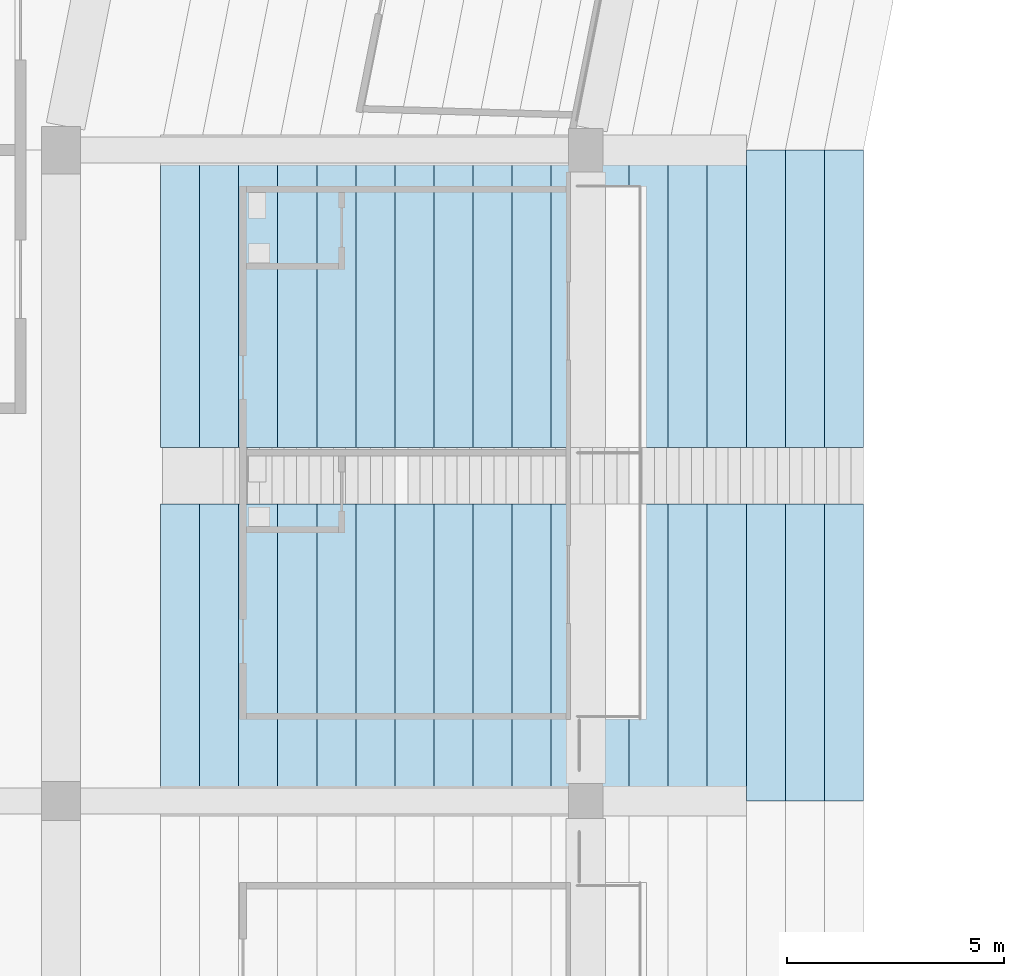
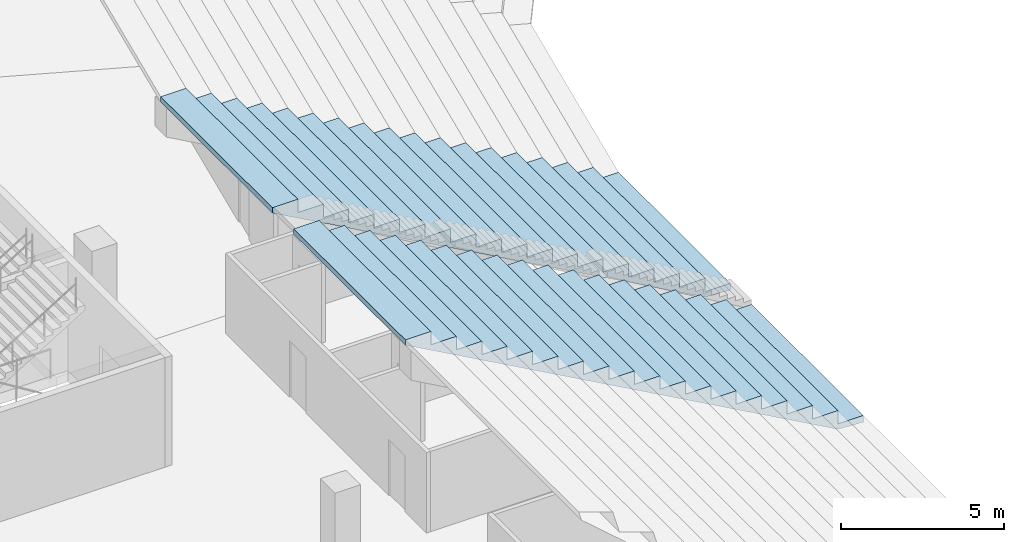
# One storey, part 124 of 249: 1 slab.
"""IFC4 building model written with IfcOpenShell, lengths in metres."""

import ifcopenshell
import ifcopenshell.guid

model = None  # the IFC model being written
_history = None  # IfcOwnerHistory: only IFC2X3 demands one
_inside = {}  # id of a spatial element -> (the spatial element, [elements in it])
_under = {}  # id of a project, library or spatial element -> (it, [spatial elements below it])
_declared = {}  # id of a project -> (the project, [libraries it declares])
_typed = {}  # id of a type object -> (the type object, [elements of that type])
_made_of = {}  # id of a material, layer set ... -> (it, [elements and type objects made of it])


def new_model(schema):
    """Start an empty IFC model of exactly this schema.

    Asked for "IFC4X3", IfcOpenShell would pick the latest addendum, in which some entities
    have other attributes; the version numbers below select the first issue.
    IFC2X3 requires an IfcOwnerHistory on every rooted entity: one is made here for all.
    """
    global model, _history
    if schema == "IFC4X3":
        model = ifcopenshell.file(schema_version=(4, 3, 0, 0))
    else:
        model = ifcopenshell.file(schema=schema)
    _inside.clear()
    _under.clear()
    _declared.clear()
    _typed.clear()
    _made_of.clear()
    _history = None
    if model.schema == "IFC2X3":
        org = make("IfcOrganization", Name="unknown")
        user = make(
            "IfcPersonAndOrganization",
            ThePerson=make("IfcPerson", FamilyName="unknown"),
            TheOrganization=org,
        )
        app = make(
            "IfcApplication",
            ApplicationDeveloper=org,
            Version="unknown",
            ApplicationFullName="unknown",
            ApplicationIdentifier="unknown",
        )
        _history = make(
            "IfcOwnerHistory",
            OwningUser=user,
            OwningApplication=app,
            ChangeAction="ADDED",
            CreationDate=0,
        )
    return model


def make(cls, **values):
    """One entity of the class cls with the attributes given. An attribute that is None is left unset."""
    return model.create_entity(
        cls, **{name: value for name, value in values.items() if value is not None}
    )


def rooted(cls, **values):
    """An entity with a GlobalId (a new one), such as an element, a storey or a relation."""
    return make(cls, GlobalId=ifcopenshell.guid.new(), OwnerHistory=_history, **values)


def si_unit(unit_type, name, prefix=None):
    """IfcSIUnit, for example si_unit("LENGTHUNIT", "METRE", prefix="MILLI")."""
    return make("IfcSIUnit", UnitType=unit_type, Prefix=prefix, Name=name)


def assignment(units):
    """IfcUnitAssignment: the units of a project."""
    return None if units is None else make("IfcUnitAssignment", Units=units)


def point(xyz):
    """IfcCartesianPoint."""
    return None if xyz is None else make("IfcCartesianPoint", Coordinates=xyz)


def direction(xyz):
    """IfcDirection."""
    return None if xyz is None else make("IfcDirection", DirectionRatios=xyz)


def frame(location, z_axis=None, x_axis=None):
    """IfcAxis2Placement3D, a coordinate frame: its origin and axes. An axis left out is left unset."""
    return make(
        "IfcAxis2Placement3D",
        Location=point(location),
        Axis=direction(z_axis),
        RefDirection=direction(x_axis),
    )


def origin():
    """The frame at (0, 0, 0) with its axes left unset."""
    return frame((0.0, 0.0, 0.0))


def place(relative_to, where):
    """IfcLocalPlacement: puts the frame where relative to a parent placement (None: the world)."""
    return make(
        "IfcLocalPlacement", PlacementRelTo=relative_to, RelativePlacement=where
    )


def context(
    kind, dimensions, precision=None, world=None, true_north=None, identifier=None
):
    """IfcGeometricRepresentationContext, for example the 3D "Model" context."""
    return make(
        "IfcGeometricRepresentationContext",
        ContextIdentifier=identifier,
        ContextType=kind,
        CoordinateSpaceDimension=dimensions,
        Precision=precision,
        WorldCoordinateSystem=world,
        TrueNorth=true_north,
    )


def subcontext(parent, identifier, kind, view, scale=None):
    """IfcGeometricRepresentationSubContext, for example "Body" below "Model"."""
    return make(
        "IfcGeometricRepresentationSubContext",
        ContextIdentifier=identifier,
        ContextType=kind,
        ParentContext=parent,
        TargetScale=scale,
        TargetView=view,
    )


def project(units=None, contexts=None):
    """IfcProject with its units and contexts."""
    return rooted(
        "IfcProject",
        Name="project",
        RepresentationContexts=contexts,
        UnitsInContext=assignment(units),
    )


def spatial(cls, under=None, at=None, **own):
    """A site, building, storey or space (cls), placed at a placement, below another one or the project."""
    s = rooted(cls, ObjectPlacement=at, **own)
    if under is not None:
        _under.setdefault(under.id(), (under, []))[1].append(s)
    return s


def faces_of(points, faces, orient=None, outer=None):
    """IfcFace entities. A face is a list of loops; a loop is a list of indices into points, from 0.

    orient and outer hold one flag for each loop. By default every Orientation is true, the
    first loop of a face is its IfcFaceOuterBound and the others are IfcFaceBound.
    """
    made = []
    for i, loops in enumerate(faces):
        bounds = []
        for j, loop in enumerate(loops):
            is_outer = j == 0 if outer is None else outer[i][j]
            bounds.append(
                make(
                    "IfcFaceOuterBound" if is_outer else "IfcFaceBound",
                    Bound=make("IfcPolyLoop", Polygon=[points[k] for k in loop]),
                    Orientation=True if orient is None else orient[i][j],
                )
            )
        made.append(make("IfcFace", Bounds=bounds))
    return made


def faceted_brep(points, faces, orient=None, outer=None, voids=None):
    """IfcFacetedBrep: a solid bounded by flat faces; with voids (closed shells), ...WithVoids."""
    shared = [point(p) for p in points]
    hull = make("IfcClosedShell", CfsFaces=faces_of(shared, faces, orient, outer))
    if voids is None:
        return make("IfcFacetedBrep", Outer=hull)
    return make(
        "IfcFacetedBrepWithVoids",
        Outer=hull,
        Voids=[
            make(cls, CfsFaces=faces_of(shared, fs, o, b)) for cls, fs, o, b in voids
        ],
    )


def shape(context_of_items, identifier, shape_type, items):
    """IfcShapeRepresentation: the items that make up one representation, for example the "Body"."""
    return make(
        "IfcShapeRepresentation",
        ContextOfItems=context_of_items,
        RepresentationIdentifier=identifier,
        RepresentationType=shape_type,
        Items=items,
    )


def material(Name=None, Category=None):
    """IfcMaterial."""
    return make("IfcMaterial", Name=Name, Category=Category)


def layer(
    of_material, thickness, ventilated=None, Name=None, Category=None, Priority=None
):
    """IfcMaterialLayer: one layer of a wall or slab, of a material (None: an air gap)."""
    return make(
        "IfcMaterialLayer",
        Material=of_material,
        LayerThickness=thickness,
        IsVentilated=ventilated,
        Name=Name,
        Category=Category,
        Priority=Priority,
    )


def layer_set(layers, Name=None):
    """IfcMaterialLayerSet."""
    return make("IfcMaterialLayerSet", MaterialLayers=layers, LayerSetName=Name)


def made_of(thing, what):
    """Note that an element or type object is made of a material, layer set ...; save() writes the relation."""
    if what is not None:
        _made_of.setdefault(what.id(), (what, []))[1].append(thing)
    return thing


def type_object(cls, material=None, **own):
    """A type object (cls), such as IfcWallType, which elements share."""
    return made_of(rooted(cls, **own), material)


def element(
    cls,
    number,
    at=None,
    inside=None,
    cuts=None,
    type_object=None,
    material=None,
    context=None,
    identifier="Body",
    shape_type=None,
    held_by="IfcProductDefinitionShape",
    body=None,
    shapes=None,
    **own,
):
    """One element of the class cls, such as IfcWall. Its Tag is "e" and its number.

    at: its placement. inside: the storey or other place that contains it. cuts: it is an
    opening in that element (IfcRelVoidsElement). A single representation is given by context,
    identifier, shape_type and body (its items); several are given by shapes. held_by: the class
    of the entity that holds the representations. save() writes the other relations.
    """
    e = rooted(cls, Tag="e%d" % number, ObjectPlacement=at, **own)
    if body is not None:
        shapes = [shape(context, identifier, shape_type, body)]
    if shapes is not None:
        e.Representation = make(held_by, Representations=shapes)
    if inside is not None:
        _inside.setdefault(inside.id(), (inside, []))[1].append(e)
    if cuts is not None:
        rooted(
            "IfcRelVoidsElement", RelatingBuildingElement=cuts, RelatedOpeningElement=e
        )
    if type_object is not None:
        _typed.setdefault(type_object.id(), (type_object, []))[1].append(e)
    return made_of(e, material)


def aggregate(whole, parts):
    """IfcRelAggregates: a whole, such as a stair, and the parts it consists of."""
    return rooted("IfcRelAggregates", RelatingObject=whole, RelatedObjects=parts)


def save(model, path):
    """Write the relations noted so far, then the file.

    IfcRelAggregates (storeys below a building ...), IfcRelContainedInSpatialStructure (elements
    in a storey), IfcRelDefinesByType, IfcRelAssociatesMaterial and IfcRelDeclares: one each for
    every whole, place, type object, material and project.
    """
    for whole, parts in _under.values():
        aggregate(whole, parts)
    for where, things in _inside.values():
        rooted(
            "IfcRelContainedInSpatialStructure",
            RelatedElements=things,
            RelatingStructure=where,
        )
    for kind, things in _typed.values():
        rooted("IfcRelDefinesByType", RelatedObjects=things, RelatingType=kind)
    for what, things in _made_of.values():
        rooted("IfcRelAssociatesMaterial", RelatedObjects=things, RelatingMaterial=what)
    for by, libraries in _declared.values():
        rooted("IfcRelDeclares", RelatingContext=by, RelatedDefinitions=libraries)
    model.write(path)


model = new_model("IFC4")

# Units and contexts
model_context = context("Model", 3, precision=1e-05, world=origin(), true_north=direction((0.0, 1.0)))
body_context = subcontext(model_context, "Body", "Model", "MODEL_VIEW")
ifc_project = project(units=[si_unit("LENGTHUNIT", "METRE"), si_unit("AREAUNIT", "SQUARE_METRE"), si_unit("VOLUMEUNIT", "CUBIC_METRE"), si_unit("PLANEANGLEUNIT", "RADIAN"), si_unit("MASSUNIT", "GRAM", prefix="KILO")], contexts=[model_context])

# Site, building, storey
site_placement = place(None, origin())
site = spatial("IfcSite", under=ifc_project, at=site_placement, CompositionType="ELEMENT")
building_placement = place(site_placement, origin())
building = spatial("IfcBuilding", under=site, at=building_placement, Name="Ogive Plaza Stadium", CompositionType="ELEMENT")
storey_placement = place(building_placement, frame((0.0, 0.0, 13.5)))
storey = spatial("IfcBuildingStorey", under=building, at=storey_placement, Name="L03", CompositionType="ELEMENT", Elevation=13.5)

# Slab
ifc_material = material(Name="Concrete C45/55 precast", Category="concrete")
ifc_layer = layer(ifc_material, 0.699951171875)
ifc_layer_set = layer_set([ifc_layer], Name="Concrete C45/55 precast")
slab_type = type_object("IfcSlabType", Name="Seating tier UT 700", PredefinedType="USERDEFINED", material=ifc_layer_set)
slab_placement = place(storey_placement, origin())
element("IfcSlab", 1, at=slab_placement, inside=storey, type_object=slab_type, Name="Stand UT B27", ObjectType="SEATING TIER", PredefinedType="USERDEFINED", context=body_context, shape_type="Brep", body=[
    faceted_brep([(-55.5, 44.35009765625, 0.5), (-56.39990234375, 44.35009765625, 0.5), (-56.39990234375, 37.5, 0.5), (-55.5, 37.5, 0.5), (-55.5, 52.5, 0.5), (-56.39990234375, 52.5, 0.5), (-56.39990234375, 45.64990234375, 0.5), (-55.5, 45.64990234375, 0.5), (-56.39990234375, 44.35009765625, 0.300048828125), (-55.5, 37.5, 0.25), (-56.39990234375, 37.5, 0.300048828125), (-55.5, 44.35009765625, 0.25), (-56.39990234375, 52.5, 0.300048828125), (-55.5, 45.64990234375, 0.25), (-56.39990234375, 45.64990234375, 0.300048828125), (-55.5, 52.5, 0.25), (-56.39990234375, 37.5, 1.0), (-56.39990234375, 44.35009765625, 1.0), (-56.39990234375, 45.64990234375, 1.0), (-56.39990234375, 52.5, 1.0), (-57.300048828125, 37.5, 1.0), (-57.300048828125, 37.5, 0.800048828125), (-57.300048828125, 37.5, 1.5), (-58.199951171875, 37.5, 1.5), (-58.199951171875, 37.5, 1.300048828125), (-58.199951171875, 37.5, 2.0), (-59.10009765625, 37.5, 2.0), (-59.10009765625, 37.5, 1.800048828125), (-59.10009765625, 37.5, 2.5), (-60.0, 37.5, 2.5), (-60.0, 37.5, 2.300048828125), (-60.0, 37.5, 3.0), (-60.89990234375, 37.5, 3.0), (-60.89990234375, 37.5, 2.800048828125), (-60.89990234375, 37.5, 3.5), (-61.800048828125, 37.5, 3.5), (-61.800048828125, 37.5, 3.300048828125), (-61.800048828125, 37.5, 4.0), (-62.699951171875, 37.5, 4.0), (-62.699951171875, 37.5, 3.800048828125), (-62.699951171875, 37.5, 4.5), (-63.60009765625, 37.5, 4.5), (-63.60009765625, 37.5, 4.300048828125), (-63.60009765625, 37.5, 5.0), (-64.5, 37.5, 5.0), (-64.5, 37.5, 4.800048828125), (-64.5, 37.5, 5.5), (-65.39990234375, 37.5, 5.5), (-65.39990234375, 37.5, 5.300048828125), (-65.39990234375, 37.5, 6.0), (-66.300048828125, 37.5, 6.0), (-66.300048828125, 37.5, 5.800048828125), (-66.300048828125, 37.5, 6.5), (-67.199951171875, 37.5, 6.5), (-67.199951171875, 37.5, 6.300048828125), (-67.199951171875, 37.5, 7.0), (-68.10009765625, 37.5, 7.0), (-68.10009765625, 37.5, 6.800048828125), (-68.10009765625, 37.5, 7.5), (-69.0, 37.5, 7.5), (-69.0, 37.5, 7.300048828125), (-69.0, 37.5, 8.0), (-69.89990234375, 37.5, 8.0), (-69.89990234375, 37.5, 7.800048828125), (-69.89990234375, 37.5, 8.5), (-70.800048828125, 37.5, 8.5), (-70.800048828125, 37.5, 8.300048828125), (-70.800048828125, 37.5, 9.0), (-71.699951171875, 37.5, 9.0), (-71.699951171875, 37.5, 8.800048828125), (-57.300048828125, 44.35009765625, 1.0), (-57.300048828125, 44.35009765625, 0.800048828125), (-58.199951171875, 44.35009765625, 1.5), (-57.300048828125, 44.35009765625, 1.5), (-58.199951171875, 44.35009765625, 1.300048828125), (-59.10009765625, 44.35009765625, 2.0), (-58.199951171875, 44.35009765625, 2.0), (-59.10009765625, 44.35009765625, 1.800048828125), (-60.0, 44.35009765625, 2.5), (-59.10009765625, 44.35009765625, 2.5), (-60.0, 44.35009765625, 2.300048828125), (-60.89990234375, 44.35009765625, 3.0), (-60.0, 44.35009765625, 3.0), (-60.89990234375, 44.35009765625, 2.800048828125), (-61.800048828125, 44.35009765625, 3.5), (-60.89990234375, 44.35009765625, 3.5), (-61.800048828125, 44.35009765625, 3.300048828125), (-62.699951171875, 44.35009765625, 4.0), (-61.800048828125, 44.35009765625, 4.0), (-62.699951171875, 44.35009765625, 3.800048828125), (-63.60009765625, 44.35009765625, 4.5), (-62.699951171875, 44.35009765625, 4.5), (-63.60009765625, 44.35009765625, 4.300048828125), (-64.5, 44.35009765625, 5.0), (-63.60009765625, 44.35009765625, 5.0), (-64.5, 44.35009765625, 4.800048828125), (-65.39990234375, 44.35009765625, 5.5), (-64.5, 44.35009765625, 5.5), (-65.39990234375, 44.35009765625, 5.300048828125), (-66.300048828125, 44.35009765625, 6.0), (-65.39990234375, 44.35009765625, 6.0), (-66.300048828125, 44.35009765625, 5.800048828125), (-67.199951171875, 44.35009765625, 6.5), (-66.300048828125, 44.35009765625, 6.5), (-67.199951171875, 44.35009765625, 6.300048828125), (-68.10009765625, 44.35009765625, 7.0), (-67.199951171875, 44.35009765625, 7.0), (-68.10009765625, 44.35009765625, 6.800048828125), (-69.0, 44.35009765625, 7.5), (-68.10009765625, 44.35009765625, 7.5), (-69.0, 44.35009765625, 7.300048828125), (-69.89990234375, 44.35009765625, 8.0), (-69.0, 44.35009765625, 8.0), (-69.89990234375, 44.35009765625, 7.800048828125), (-70.800048828125, 44.35009765625, 8.5), (-69.89990234375, 44.35009765625, 8.5), (-70.800048828125, 44.35009765625, 8.300048828125), (-71.699951171875, 44.35009765625, 9.0), (-70.800048828125, 44.35009765625, 9.0), (-71.699951171875, 44.35009765625, 8.800048828125), (-57.300048828125, 45.64990234375, 1.0), (-57.300048828125, 45.64990234375, 0.800048828125), (-57.300048828125, 45.64990234375, 1.5), (-58.199951171875, 45.64990234375, 1.5), (-58.199951171875, 45.64990234375, 1.300048828125), (-58.199951171875, 45.64990234375, 2.0), (-59.10009765625, 45.64990234375, 2.0), (-59.10009765625, 45.64990234375, 1.800048828125), (-59.10009765625, 45.64990234375, 2.5), (-60.0, 45.64990234375, 2.5), (-60.0, 45.64990234375, 2.300048828125), (-60.0, 45.64990234375, 3.0), (-60.89990234375, 45.64990234375, 3.0), (-60.89990234375, 45.64990234375, 2.800048828125), (-60.89990234375, 45.64990234375, 3.5), (-61.800048828125, 45.64990234375, 3.5), (-61.800048828125, 45.64990234375, 3.300048828125), (-61.800048828125, 45.64990234375, 4.0), (-62.699951171875, 45.64990234375, 4.0), (-62.699951171875, 45.64990234375, 3.800048828125), (-62.699951171875, 45.64990234375, 4.5), (-63.60009765625, 45.64990234375, 4.5), (-63.60009765625, 45.64990234375, 4.300048828125), (-63.60009765625, 45.64990234375, 5.0), (-64.5, 45.64990234375, 5.0), (-64.5, 45.64990234375, 4.800048828125), (-64.5, 45.64990234375, 5.5), (-65.39990234375, 45.64990234375, 5.5), (-65.39990234375, 45.64990234375, 5.300048828125), (-65.39990234375, 45.64990234375, 6.0), (-66.300048828125, 45.64990234375, 6.0), (-66.300048828125, 45.64990234375, 5.800048828125), (-66.300048828125, 45.64990234375, 6.5), (-67.199951171875, 45.64990234375, 6.5), (-67.199951171875, 45.64990234375, 6.300048828125), (-67.199951171875, 45.64990234375, 7.0), (-68.10009765625, 45.64990234375, 7.0), (-68.10009765625, 45.64990234375, 6.800048828125), (-68.10009765625, 45.64990234375, 7.5), (-69.0, 45.64990234375, 7.5), (-69.0, 45.64990234375, 7.300048828125), (-69.0, 45.64990234375, 8.0), (-69.89990234375, 45.64990234375, 8.0), (-69.89990234375, 45.64990234375, 7.800048828125), (-69.89990234375, 45.64990234375, 8.5), (-70.800048828125, 45.64990234375, 8.5), (-70.800048828125, 45.64990234375, 8.300048828125), (-70.800048828125, 45.64990234375, 9.0), (-71.699951171875, 45.64990234375, 9.0), (-71.699951171875, 45.64990234375, 8.800048828125), (-57.300048828125, 52.5, 1.0), (-57.300048828125, 52.5, 0.800048828125), (-58.199951171875, 52.5, 1.5), (-57.300048828125, 52.5, 1.5), (-58.199951171875, 52.5, 1.300048828125), (-59.10009765625, 52.5, 2.0), (-58.199951171875, 52.5, 2.0), (-59.10009765625, 52.5, 1.800048828125), (-60.0, 52.5, 2.5), (-59.10009765625, 52.5, 2.5), (-60.0, 52.5, 2.300048828125), (-60.89990234375, 52.5, 3.0), (-60.0, 52.5, 3.0), (-60.89990234375, 52.5, 2.800048828125), (-61.800048828125, 52.5, 3.5), (-60.89990234375, 52.5, 3.5), (-61.800048828125, 52.5, 3.300048828125), (-62.699951171875, 52.5, 4.0), (-61.800048828125, 52.5, 4.0), (-62.699951171875, 52.5, 3.800048828125), (-63.60009765625, 52.5, 4.5), (-62.699951171875, 52.5, 4.5), (-63.60009765625, 52.5, 4.300048828125), (-64.5, 52.5, 5.0), (-63.60009765625, 52.5, 5.0), (-64.5, 52.5, 4.800048828125), (-65.39990234375, 52.5, 5.5), (-64.5, 52.5, 5.5), (-65.39990234375, 52.5, 5.300048828125), (-66.300048828125, 52.5, 6.0), (-65.39990234375, 52.5, 6.0), (-66.300048828125, 52.5, 5.800048828125), (-67.199951171875, 52.5, 6.5), (-66.300048828125, 52.5, 6.5), (-67.199951171875, 52.5, 6.300048828125), (-68.10009765625, 52.5, 7.0), (-67.199951171875, 52.5, 7.0), (-68.10009765625, 52.5, 6.800048828125), (-69.0, 52.5, 7.5), (-68.10009765625, 52.5, 7.5), (-69.0, 52.5, 7.300048828125), (-69.89990234375, 52.5, 8.0), (-69.0, 52.5, 8.0), (-69.89990234375, 52.5, 7.800048828125), (-70.800048828125, 52.5, 8.5), (-69.89990234375, 52.5, 8.5), (-70.800048828125, 52.5, 8.300048828125), (-71.699951171875, 52.5, 9.0), (-70.800048828125, 52.5, 9.0), (-71.699951171875, 52.5, 8.800048828125)], [[[0, 1, 2]], [[2, 3, 0]], [[4, 5, 6]], [[6, 7, 4]], [[8, 9, 10]], [[8, 11, 9]], [[12, 13, 14]], [[12, 15, 13]], [[16, 2, 1]], [[1, 17, 16]], [[18, 6, 5]], [[5, 19, 18]], [[10, 9, 3]], [[10, 3, 2]], [[2, 16, 20]], [[20, 21, 10]], [[10, 2, 20]], [[20, 22, 23]], [[23, 24, 21]], [[21, 20, 23]], [[23, 25, 26]], [[26, 27, 24]], [[24, 23, 26]], [[26, 28, 29]], [[29, 30, 27]], [[27, 26, 29]], [[29, 31, 32]], [[32, 33, 30]], [[30, 29, 32]], [[32, 34, 35]], [[35, 36, 33]], [[33, 32, 35]], [[35, 37, 38]], [[38, 39, 36]], [[36, 35, 38]], [[38, 40, 41]], [[41, 42, 39]], [[39, 38, 41]], [[41, 43, 44]], [[44, 45, 42]], [[42, 41, 44]], [[44, 46, 47]], [[47, 48, 45]], [[45, 44, 47]], [[47, 49, 50]], [[50, 51, 48]], [[48, 47, 50]], [[50, 52, 53]], [[53, 54, 51]], [[51, 50, 53]], [[53, 55, 56]], [[56, 57, 54]], [[54, 53, 56]], [[56, 58, 59]], [[59, 60, 57]], [[57, 56, 59]], [[59, 61, 62]], [[62, 63, 60]], [[60, 59, 62]], [[62, 64, 65]], [[65, 66, 63]], [[63, 62, 65]], [[65, 67, 68]], [[68, 69, 66]], [[66, 65, 68]], [[3, 9, 11]], [[11, 0, 3]], [[7, 13, 15]], [[15, 4, 7]], [[0, 11, 8]], [[8, 1, 0]], [[70, 17, 1]], [[1, 8, 71]], [[71, 70, 1]], [[72, 73, 70]], [[70, 71, 74]], [[74, 72, 70]], [[75, 76, 72]], [[72, 74, 77]], [[77, 75, 72]], [[78, 79, 75]], [[75, 77, 80]], [[80, 78, 75]], [[81, 82, 78]], [[78, 80, 83]], [[83, 81, 78]], [[84, 85, 81]], [[81, 83, 86]], [[86, 84, 81]], [[87, 88, 84]], [[84, 86, 89]], [[89, 87, 84]], [[90, 91, 87]], [[87, 89, 92]], [[92, 90, 87]], [[93, 94, 90]], [[90, 92, 95]], [[95, 93, 90]], [[96, 97, 93]], [[93, 95, 98]], [[98, 96, 93]], [[99, 100, 96]], [[96, 98, 101]], [[101, 99, 96]], [[102, 103, 99]], [[99, 101, 104]], [[104, 102, 99]], [[105, 106, 102]], [[102, 104, 107]], [[107, 105, 102]], [[108, 109, 105]], [[105, 107, 110]], [[110, 108, 105]], [[111, 112, 108]], [[108, 110, 113]], [[113, 111, 108]], [[114, 115, 111]], [[111, 113, 116]], [[116, 114, 111]], [[117, 118, 114]], [[114, 116, 119]], [[119, 117, 114]], [[14, 13, 7]], [[14, 7, 6]], [[6, 18, 120]], [[120, 121, 14]], [[14, 6, 120]], [[120, 122, 123]], [[123, 124, 121]], [[121, 120, 123]], [[123, 125, 126]], [[126, 127, 124]], [[124, 123, 126]], [[126, 128, 129]], [[129, 130, 127]], [[127, 126, 129]], [[129, 131, 132]], [[132, 133, 130]], [[130, 129, 132]], [[132, 134, 135]], [[135, 136, 133]], [[133, 132, 135]], [[135, 137, 138]], [[138, 139, 136]], [[136, 135, 138]], [[138, 140, 141]], [[141, 142, 139]], [[139, 138, 141]], [[141, 143, 144]], [[144, 145, 142]], [[142, 141, 144]], [[144, 146, 147]], [[147, 148, 145]], [[145, 144, 147]], [[147, 149, 150]], [[150, 151, 148]], [[148, 147, 150]], [[150, 152, 153]], [[153, 154, 151]], [[151, 150, 153]], [[153, 155, 156]], [[156, 157, 154]], [[154, 153, 156]], [[156, 158, 159]], [[159, 160, 157]], [[157, 156, 159]], [[159, 161, 162]], [[162, 163, 160]], [[160, 159, 162]], [[162, 164, 165]], [[165, 166, 163]], [[163, 162, 165]], [[165, 167, 168]], [[168, 169, 166]], [[166, 165, 168]], [[4, 15, 12]], [[12, 5, 4]], [[170, 19, 5]], [[5, 12, 171]], [[171, 170, 5]], [[172, 173, 170]], [[170, 171, 174]], [[174, 172, 170]], [[175, 176, 172]], [[172, 174, 177]], [[177, 175, 172]], [[178, 179, 175]], [[175, 177, 180]], [[180, 178, 175]], [[181, 182, 178]], [[178, 180, 183]], [[183, 181, 178]], [[184, 185, 181]], [[181, 183, 186]], [[186, 184, 181]], [[187, 188, 184]], [[184, 186, 189]], [[189, 187, 184]], [[190, 191, 187]], [[187, 189, 192]], [[192, 190, 187]], [[193, 194, 190]], [[190, 192, 195]], [[195, 193, 190]], [[196, 197, 193]], [[193, 195, 198]], [[198, 196, 193]], [[199, 200, 196]], [[196, 198, 201]], [[201, 199, 196]], [[202, 203, 199]], [[199, 201, 204]], [[204, 202, 199]], [[205, 206, 202]], [[202, 204, 207]], [[207, 205, 202]], [[208, 209, 205]], [[205, 207, 210]], [[210, 208, 205]], [[211, 212, 208]], [[208, 210, 213]], [[213, 211, 208]], [[214, 215, 211]], [[211, 213, 216]], [[216, 214, 211]], [[217, 218, 214]], [[214, 216, 219]], [[219, 217, 214]], [[17, 70, 20]], [[20, 16, 17]], [[19, 170, 120]], [[120, 18, 19]], [[71, 10, 21]], [[71, 8, 10]], [[171, 14, 121]], [[171, 12, 14]], [[74, 21, 24]], [[74, 71, 21]], [[174, 121, 124]], [[174, 171, 121]], [[77, 24, 27]], [[77, 74, 24]], [[177, 124, 127]], [[177, 174, 124]], [[80, 27, 30]], [[80, 77, 27]], [[180, 127, 130]], [[180, 177, 127]], [[83, 30, 33]], [[83, 80, 30]], [[183, 130, 133]], [[183, 180, 130]], [[86, 33, 36]], [[86, 83, 33]], [[186, 133, 136]], [[186, 183, 133]], [[89, 36, 39]], [[89, 86, 36]], [[189, 136, 139]], [[189, 186, 136]], [[92, 39, 42]], [[92, 89, 39]], [[192, 139, 142]], [[192, 189, 139]], [[95, 42, 45]], [[95, 92, 42]], [[195, 142, 145]], [[195, 192, 142]], [[98, 45, 48]], [[98, 95, 45]], [[198, 145, 148]], [[198, 195, 145]], [[101, 48, 51]], [[101, 98, 48]], [[201, 148, 151]], [[201, 198, 148]], [[104, 51, 54]], [[104, 101, 51]], [[204, 151, 154]], [[204, 201, 151]], [[107, 54, 57]], [[107, 104, 54]], [[207, 154, 157]], [[207, 204, 154]], [[110, 57, 60]], [[110, 107, 57]], [[210, 157, 160]], [[210, 207, 157]], [[22, 20, 70]], [[70, 73, 22]], [[122, 120, 170]], [[170, 173, 122]], [[73, 72, 23]], [[23, 22, 73]], [[173, 172, 123]], [[123, 122, 173]], [[25, 23, 72]], [[72, 76, 25]], [[125, 123, 172]], [[172, 176, 125]], [[76, 75, 26]], [[26, 25, 76]], [[176, 175, 126]], [[126, 125, 176]], [[28, 26, 75]], [[75, 79, 28]], [[128, 126, 175]], [[175, 179, 128]], [[79, 78, 29]], [[29, 28, 79]], [[179, 178, 129]], [[129, 128, 179]], [[31, 29, 78]], [[78, 82, 31]], [[131, 129, 178]], [[178, 182, 131]], [[82, 81, 32]], [[32, 31, 82]], [[182, 181, 132]], [[132, 131, 182]], [[34, 32, 81]], [[81, 85, 34]], [[134, 132, 181]], [[181, 185, 134]], [[85, 84, 35]], [[35, 34, 85]], [[185, 184, 135]], [[135, 134, 185]], [[37, 35, 84]], [[84, 88, 37]], [[137, 135, 184]], [[184, 188, 137]], [[88, 87, 38]], [[38, 37, 88]], [[188, 187, 138]], [[138, 137, 188]], [[40, 38, 87]], [[87, 91, 40]], [[140, 138, 187]], [[187, 191, 140]], [[91, 90, 41]], [[41, 40, 91]], [[191, 190, 141]], [[141, 140, 191]], [[43, 41, 90]], [[90, 94, 43]], [[143, 141, 190]], [[190, 194, 143]], [[94, 93, 44]], [[44, 43, 94]], [[194, 193, 144]], [[144, 143, 194]], [[46, 44, 93]], [[93, 97, 46]], [[146, 144, 193]], [[193, 197, 146]], [[97, 96, 47]], [[47, 46, 97]], [[197, 196, 147]], [[147, 146, 197]], [[49, 47, 96]], [[96, 100, 49]], [[149, 147, 196]], [[196, 200, 149]], [[100, 99, 50]], [[50, 49, 100]], [[200, 199, 150]], [[150, 149, 200]], [[52, 50, 99]], [[99, 103, 52]], [[152, 150, 199]], [[199, 203, 152]], [[103, 102, 53]], [[53, 52, 103]], [[203, 202, 153]], [[153, 152, 203]], [[55, 53, 102]], [[102, 106, 55]], [[155, 153, 202]], [[202, 206, 155]], [[106, 105, 56]], [[56, 55, 106]], [[206, 205, 156]], [[156, 155, 206]], [[58, 56, 105]], [[105, 109, 58]], [[158, 156, 205]], [[205, 209, 158]], [[109, 108, 59]], [[59, 58, 109]], [[209, 208, 159]], [[159, 158, 209]], [[61, 59, 108]], [[108, 112, 61]], [[161, 159, 208]], [[208, 212, 161]], [[112, 111, 62]], [[62, 61, 112]], [[212, 211, 162]], [[162, 161, 212]], [[113, 60, 63]], [[113, 110, 60]], [[213, 160, 163]], [[213, 210, 160]], [[116, 63, 66]], [[116, 113, 63]], [[216, 163, 166]], [[216, 213, 163]], [[119, 66, 69]], [[119, 116, 66]], [[219, 166, 169]], [[219, 216, 166]], [[64, 62, 111]], [[111, 115, 64]], [[164, 162, 211]], [[211, 215, 164]], [[115, 114, 65]], [[65, 64, 115]], [[215, 214, 165]], [[165, 164, 215]], [[67, 65, 114]], [[114, 118, 67]], [[167, 165, 214]], [[214, 218, 167]], [[118, 117, 68]], [[68, 67, 118]], [[218, 217, 168]], [[168, 167, 218]], [[117, 119, 69]], [[69, 68, 117]], [[217, 219, 169]], [[169, 168, 217]]]),
])

save(model, "model.ifc")
